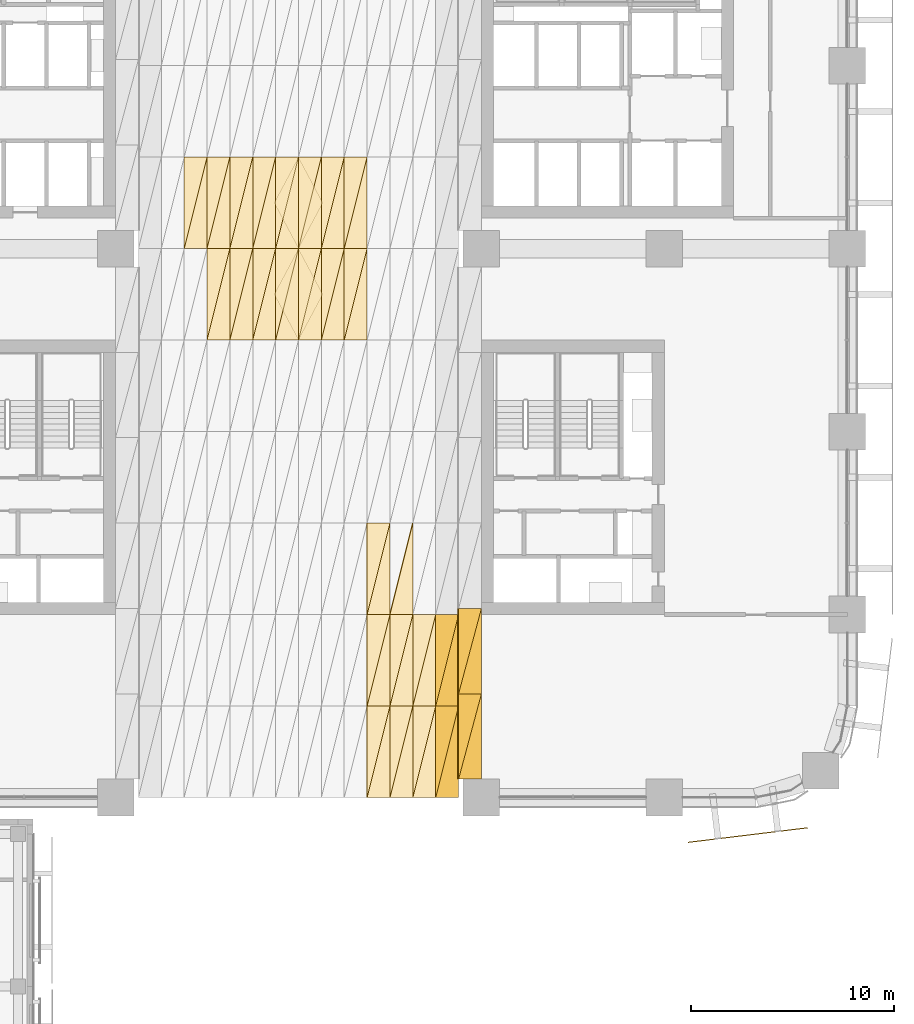
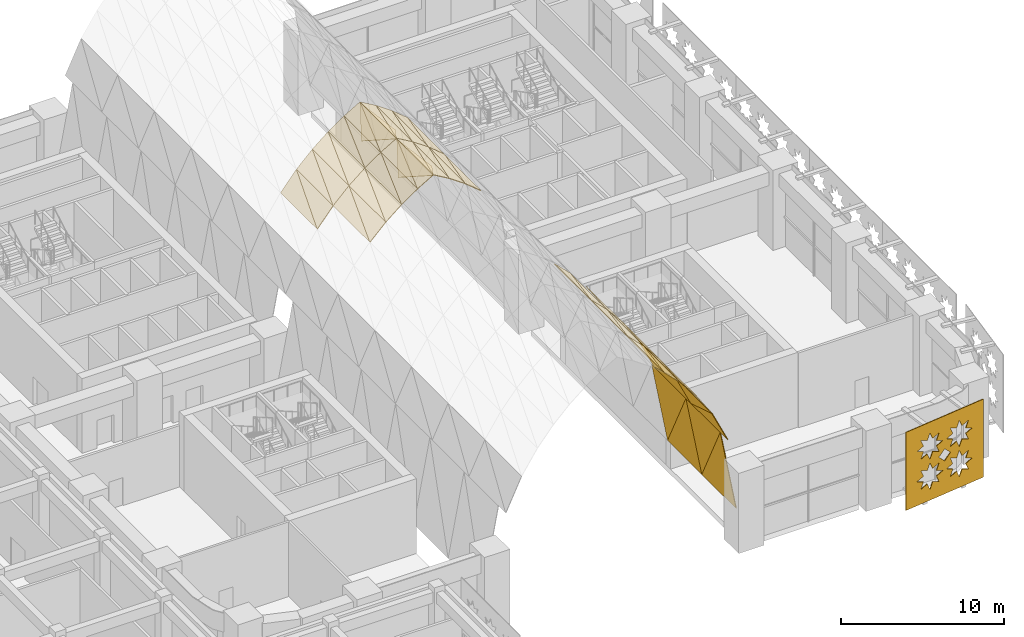
# One storey, part 36 of 46: 58 coverings.
"""IFC4 building model written with IfcOpenShell, lengths in metres."""

from ifc_helpers import new_model, si_unit, direction, frame, origin, place, context, subcontext, project, spatial, polyline, outline, extrude, material, layer, layer_set, type_object, element, save


model = new_model("IFC4")

# Units and contexts
model_context = context("Model", 3, precision=1e-05, world=origin(), true_north=direction((0.0, 1.0)))
body_context = subcontext(model_context, "Body", "Model", "MODEL_VIEW")
ifc_project = project(units=[si_unit("LENGTHUNIT", "METRE"), si_unit("AREAUNIT", "SQUARE_METRE"), si_unit("VOLUMEUNIT", "CUBIC_METRE"), si_unit("PLANEANGLEUNIT", "RADIAN"), si_unit("MASSUNIT", "GRAM", prefix="KILO")], contexts=[model_context])

# Site, building, storey
site_placement = place(None, origin())
site = spatial("IfcSite", under=ifc_project, at=site_placement, CompositionType="ELEMENT")
building_placement = place(site_placement, origin())
building = spatial("IfcBuilding", under=site, at=building_placement, Name="Tessera Arch", CompositionType="ELEMENT")
storey_placement = place(building_placement, frame((0.0, 0.0, 8.0)))
storey = spatial("IfcBuildingStorey", under=building, at=storey_placement, Name="L01", CompositionType="ELEMENT", Elevation=8.0)

# Coverings
ifc_material_1 = material(Name="Aluminium cladding pale metal anodised", Category="aluminium")
ifc_layer_1 = layer(ifc_material_1, 0.050048828125)
ifc_layer_set_1 = layer_set([ifc_layer_1], Name="Arch soffit panel")
covering_type_1 = type_object("IfcCoveringType", Name="Arch soffit panel", PredefinedType="CLADDING", material=ifc_layer_set_1)
covering_1_placement = place(storey_placement, frame((21.375, 27.0, 12.16650390625), z_axis=(-0.769435590456, 0.0, 0.638724410164), x_axis=(0.638724410164, 0.0, 0.769435590456)))
element("IfcCovering", 1, at=covering_1_placement, inside=storey, type_object=covering_type_1, Name="Arch soffit panel 4-7-1", PredefinedType="CLADDING", context=body_context, shape_type="SweptSolid", body=[
    extrude(outline(polyline([(0.0, 0.0), (1.7613230089496987, 0.0), (1.7613230089496987, 4.5), (0.0, 0.0)])), origin(), (0.0, 0.0, -1.0), 0.050048828125),
])
covering_2_placement = place(storey_placement, frame((21.375, 27.0, 12.16650390625), z_axis=(-0.769435590456, 0.0, 0.638724410164), x_axis=(0.232802733554, 0.931210934214, 0.280444438793)))
element("IfcCovering", 2, at=covering_2_placement, inside=storey, type_object=covering_type_1, Name="Arch soffit panel 4-7-2", PredefinedType="CLADDING", context=body_context, shape_type="SweptSolid", body=[
    extrude(outline(polyline([(0.0, 0.0), (4.832417484226257, 2.220446049250313e-16), (4.190449203964491, 1.640163244617246), (0.0, 0.0)])), origin(), (0.0, 0.0, -1.0), 0.050048828125),
])
covering_3_placement = place(storey_placement, frame((22.5, 22.5, 13.521728515625), z_axis=(-0.70300502251, 0.0, 0.711184883364), x_axis=(0.711184883364, 0.0, 0.70300502251)))
element("IfcCovering", 3, at=covering_3_placement, inside=storey, type_object=covering_type_1, Name="Arch soffit panel 5-6-1", PredefinedType="CLADDING", context=body_context, shape_type="SweptSolid", body=[
    extrude(outline(polyline([(0.0, 0.0), (1.5818671435730385, 0.0), (1.5818671435730385, 4.5), (0.0, 0.0)])), origin(), (0.0, 0.0, -1.0), 0.050048828125),
])
covering_4_placement = place(storey_placement, frame((22.5, 22.5, 13.521728515625), z_axis=(-0.70300502251, 0.0, 0.711184883364), x_axis=(0.235852147397, 0.943408589587, 0.233139438236)))
element("IfcCovering", 4, at=covering_4_placement, inside=storey, type_object=covering_type_1, Name="Arch soffit panel 5-6-2", PredefinedType="CLADDING", context=body_context, shape_type="SweptSolid", body=[
    extrude(outline(polyline([(0.0, 0.0), (4.769937490147635, 0.0), (4.245338653143071, 1.4923470508328087), (0.0, 0.0)])), origin(), (0.0, 0.0, -1.0), 0.050048828125),
])
covering_5_placement = place(storey_placement, frame((22.5, 27.0, 13.521728515625), z_axis=(-0.70300502251, 0.0, 0.711184883364), x_axis=(0.711184883364, 0.0, 0.70300502251)))
element("IfcCovering", 5, at=covering_5_placement, inside=storey, type_object=covering_type_1, Name="Arch soffit panel 5-7-1", PredefinedType="CLADDING", context=body_context, shape_type="SweptSolid", body=[
    extrude(outline(polyline([(0.0, 0.0), (1.5818671435730385, 0.0), (1.5818671435730385, 4.5), (0.0, 0.0)])), origin(), (0.0, 0.0, -1.0), 0.050048828125),
])
covering_6_placement = place(storey_placement, frame((22.5, 27.0, 13.521728515625), z_axis=(-0.70300502251, 0.0, 0.711184883364), x_axis=(0.235852147397, 0.943408589587, 0.233139438236)))
element("IfcCovering", 6, at=covering_6_placement, inside=storey, type_object=covering_type_1, Name="Arch soffit panel 5-7-2", PredefinedType="CLADDING", context=body_context, shape_type="SweptSolid", body=[
    extrude(outline(polyline([(0.0, 0.0), (4.769937490147635, 0.0), (4.245338653143071, 1.4923470508328087), (0.0, 0.0)])), origin(), (0.0, 0.0, -1.0), 0.050048828125),
])
covering_7_placement = place(storey_placement, frame((23.625, 22.5, 14.6337890625), z_axis=(-0.636621915226, 0.0, 0.771176073964), x_axis=(0.771176073964, 0.0, 0.636621915226)))
element("IfcCovering", 7, at=covering_7_placement, inside=storey, type_object=covering_type_1, Name="Arch soffit panel 6-6-1", PredefinedType="CLADDING", context=body_context, shape_type="SweptSolid", body=[
    extrude(outline(polyline([(0.0, 0.0), (1.4588108189316835, 0.0), (1.4588108189316835, 4.5), (0.0, 0.0)])), origin(), (0.0, 0.0, -1.0), 0.050048828125),
])
covering_8_placement = place(storey_placement, frame((23.625, 22.5, 14.6337890625), z_axis=(-0.636621915226, 0.0, 0.771176073964), x_axis=(0.237815762211, 0.951263048844, 0.1963218662)))
element("IfcCovering", 8, at=covering_8_placement, inside=storey, type_object=covering_type_1, Name="Arch soffit panel 6-6-2", PredefinedType="CLADDING", context=body_context, shape_type="SweptSolid", body=[
    extrude(outline(polyline([(0.0, 0.0), (4.730552716695177, 1.1102230246251565e-16), (4.280683719797313, 1.3877128273033432), (0.0, 0.0)])), origin(), (0.0, 0.0, -1.0), 0.050048828125),
])
covering_9_placement = place(storey_placement, frame((23.625, 27.0, 14.6337890625), z_axis=(-0.636621915226, 0.0, 0.771176073964), x_axis=(0.771176073964, 0.0, 0.636621915226)))
element("IfcCovering", 9, at=covering_9_placement, inside=storey, type_object=covering_type_1, Name="Arch soffit panel 6-7-1", PredefinedType="CLADDING", context=body_context, shape_type="SweptSolid", body=[
    extrude(outline(polyline([(0.0, 0.0), (1.4588108189316835, 0.0), (1.4588108189316835, 4.5), (0.0, 0.0)])), origin(), (0.0, 0.0, -1.0), 0.050048828125),
])
covering_10_placement = place(storey_placement, frame((23.625, 27.0, 14.6337890625), z_axis=(-0.636621915226, 0.0, 0.771176073964), x_axis=(0.237815762211, 0.951263048844, 0.1963218662)))
element("IfcCovering", 10, at=covering_10_placement, inside=storey, type_object=covering_type_1, Name="Arch soffit panel 6-7-2", PredefinedType="CLADDING", context=body_context, shape_type="SweptSolid", body=[
    extrude(outline(polyline([(0.0, 0.0), (4.730552716695177, 1.1102230246251565e-16), (4.280683719797313, 1.3877128273033432), (0.0, 0.0)])), origin(), (0.0, 0.0, -1.0), 0.050048828125),
])
covering_11_placement = place(storey_placement, frame((24.75, 22.5, 15.5625), z_axis=(-0.570275535921, 0.0, 0.821453475938), x_axis=(0.821453475938, 0.0, 0.570275535921)))
element("IfcCovering", 11, at=covering_11_placement, inside=storey, type_object=covering_type_1, Name="Arch soffit panel 7-6-1", PredefinedType="CLADDING", context=body_context, shape_type="SweptSolid", body=[
    extrude(outline(polyline([(0.0, 0.0), (1.3695236954423544, 0.0), (1.3695236954423544, 4.5), (0.0, 0.0)])), origin(), (0.0, 0.0, -1.0), 0.050048828125),
])
covering_12_placement = place(storey_placement, frame((24.75, 22.5, 15.5625), z_axis=(-0.570275535921, 0.0, 0.821453475938), x_axis=(0.239169084806, 0.956676339224, 0.166037739213)))
element("IfcCovering", 12, at=covering_12_placement, inside=storey, type_object=covering_type_1, Name="Arch soffit panel 7-6-2", PredefinedType="CLADDING", context=body_context, shape_type="SweptSolid", body=[
    extrude(outline(polyline([(0.0, 0.0), (4.703785194115276, 1.6653345369377348e-16), (4.305043526505844, 1.3101909154356595), (0.0, 0.0)])), origin(), (0.0, 0.0, -1.0), 0.050048828125),
])
covering_13_placement = place(storey_placement, frame((24.75, 27.0, 15.5625), z_axis=(-0.570275535921, 0.0, 0.821453475938), x_axis=(0.821453475938, 0.0, 0.570275535921)))
element("IfcCovering", 13, at=covering_13_placement, inside=storey, type_object=covering_type_1, Name="Arch soffit panel 7-7-1", PredefinedType="CLADDING", context=body_context, shape_type="SweptSolid", body=[
    extrude(outline(polyline([(0.0, 0.0), (1.3695236954423544, 0.0), (1.3695236954423544, 4.5), (0.0, 0.0)])), origin(), (0.0, 0.0, -1.0), 0.050048828125),
])
covering_14_placement = place(storey_placement, frame((24.75, 27.0, 15.5625), z_axis=(-0.570275535921, 0.0, 0.821453475938), x_axis=(0.239169084806, 0.956676339224, 0.166037739213)))
element("IfcCovering", 14, at=covering_14_placement, inside=storey, type_object=covering_type_1, Name="Arch soffit panel 7-7-2", PredefinedType="CLADDING", context=body_context, shape_type="SweptSolid", body=[
    extrude(outline(polyline([(0.0, 0.0), (4.703785194115276, 1.6653345369377348e-16), (4.305043526505844, 1.3101909154356595), (0.0, 0.0)])), origin(), (0.0, 0.0, -1.0), 0.050048828125),
])
covering_15_placement = place(storey_placement, frame((25.875, 22.5, 16.343505859375), z_axis=(-0.504010866283, 0.0, 0.863697311949), x_axis=(0.863697311949, 0.0, 0.504010866283)))
element("IfcCovering", 15, at=covering_15_placement, inside=storey, type_object=covering_type_1, Name="Arch soffit panel 8-6-1", PredefinedType="CLADDING", context=body_context, shape_type="SweptSolid", body=[
    extrude(outline(polyline([(0.0, 0.0), (1.3025396564692215, 0.0), (1.3025396564692215, 4.5), (0.0, 0.0)])), origin(), (0.0, 0.0, -1.0), 0.050048828125),
])
covering_16_placement = place(storey_placement, frame((25.875, 22.5, 16.343505859375), z_axis=(-0.504010866283, 0.0, 0.863697311949), x_axis=(0.240142376268, 0.960569505072, 0.140135167054)))
element("IfcCovering", 16, at=covering_16_placement, inside=storey, type_object=covering_type_1, Name="Arch soffit panel 8-6-2", PredefinedType="CLADDING", context=body_context, shape_type="SweptSolid", body=[
    extrude(outline(polyline([(0.0, 0.0), (4.684720862193921, 1.6653345369377348e-16), (4.322562772825837, 1.2511798731518247), (0.0, 0.0)])), origin(), (0.0, 0.0, -1.0), 0.050048828125),
])
covering_17_placement = place(storey_placement, frame((25.875, 27.0, 16.343505859375), z_axis=(-0.504010866283, 0.0, 0.863697311949), x_axis=(0.863697311949, 0.0, 0.504010866283)))
element("IfcCovering", 17, at=covering_17_placement, inside=storey, type_object=covering_type_1, Name="Arch soffit panel 8-7-1", PredefinedType="CLADDING", context=body_context, shape_type="SweptSolid", body=[
    extrude(outline(polyline([(0.0, 0.0), (1.3025396564692215, 0.0), (1.3025396564692215, 4.5), (0.0, 0.0)])), origin(), (0.0, 0.0, -1.0), 0.050048828125),
])
covering_18_placement = place(storey_placement, frame((25.875, 27.0, 16.343505859375), z_axis=(-0.504010866283, 0.0, 0.863697311949), x_axis=(0.240142376268, 0.960569505072, 0.140135167054)))
element("IfcCovering", 18, at=covering_18_placement, inside=storey, type_object=covering_type_1, Name="Arch soffit panel 8-7-2", PredefinedType="CLADDING", context=body_context, shape_type="SweptSolid", body=[
    extrude(outline(polyline([(0.0, 0.0), (4.684720862193921, 1.6653345369377348e-16), (4.322562772825837, 1.2511798731518247), (0.0, 0.0)])), origin(), (0.0, 0.0, -1.0), 0.050048828125),
])
covering_19_placement = place(storey_placement, frame((27.0, 22.5, 17.0), z_axis=(0.504010866283, 0.0, 0.863697311949), x_axis=(0.863697311949, 0.0, -0.504010866283)))
element("IfcCovering", 19, at=covering_19_placement, inside=storey, type_object=covering_type_1, Name="Arch soffit panel 9-6-1", PredefinedType="CLADDING", context=body_context, shape_type="SweptSolid", body=[
    extrude(outline(polyline([(0.0, 0.0), (1.3025396564692215, 0.0), (1.3025396564692215, 4.5), (0.0, 0.0)])), origin(), (0.0, 0.0, -1.0), 0.050048828125),
])
covering_20_placement = place(storey_placement, frame((27.0, 22.5, 17.0), z_axis=(0.504010866283, 0.0, 0.863697311949), x_axis=(0.240142376268, 0.960569505072, -0.140135167054)))
element("IfcCovering", 20, at=covering_20_placement, inside=storey, type_object=covering_type_1, Name="Arch soffit panel 9-6-2", PredefinedType="CLADDING", context=body_context, shape_type="SweptSolid", body=[
    extrude(outline(polyline([(0.0, 0.0), (4.684720862193921, 1.6653345369377348e-16), (4.322562772825837, 1.2511798731518247), (0.0, 0.0)])), origin(), (0.0, 0.0, -1.0), 0.050048828125),
])
covering_21_placement = place(storey_placement, frame((27.0, 27.0, 17.0), z_axis=(0.504010866283, 0.0, 0.863697311949), x_axis=(0.863697311949, 0.0, -0.504010866283)))
element("IfcCovering", 21, at=covering_21_placement, inside=storey, type_object=covering_type_1, Name="Arch soffit panel 9-7-1", PredefinedType="CLADDING", context=body_context, shape_type="SweptSolid", body=[
    extrude(outline(polyline([(0.0, 0.0), (1.3025396564692215, 0.0), (1.3025396564692215, 4.5), (0.0, 0.0)])), origin(), (0.0, 0.0, -1.0), 0.050048828125),
])
covering_22_placement = place(storey_placement, frame((27.0, 27.0, 17.0), z_axis=(0.504010866283, 0.0, 0.863697311949), x_axis=(0.240142376268, 0.960569505072, -0.140135167054)))
element("IfcCovering", 22, at=covering_22_placement, inside=storey, type_object=covering_type_1, Name="Arch soffit panel 9-7-2", PredefinedType="CLADDING", context=body_context, shape_type="SweptSolid", body=[
    extrude(outline(polyline([(0.0, 0.0), (4.684720862193921, 1.6653345369377348e-16), (4.322562772825837, 1.2511798731518247), (0.0, 0.0)])), origin(), (0.0, 0.0, -1.0), 0.050048828125),
])
covering_23_placement = place(storey_placement, frame((28.125, 22.5, 16.343505859375), z_axis=(0.570275535921, 0.0, 0.821453475938), x_axis=(0.821453475938, 0.0, -0.570275535921)))
element("IfcCovering", 23, at=covering_23_placement, inside=storey, type_object=covering_type_1, Name="Arch soffit panel 10-6-1", PredefinedType="CLADDING", context=body_context, shape_type="SweptSolid", body=[
    extrude(outline(polyline([(0.0, 0.0), (1.3695236954423544, 0.0), (1.3695236954423544, 4.5), (0.0, 0.0)])), origin(), (0.0, 0.0, -1.0), 0.050048828125),
])
covering_24_placement = place(storey_placement, frame((28.125, 22.5, 16.343505859375), z_axis=(0.570275535921, 0.0, 0.821453475938), x_axis=(0.239169084806, 0.956676339224, -0.166037739213)))
element("IfcCovering", 24, at=covering_24_placement, inside=storey, type_object=covering_type_1, Name="Arch soffit panel 10-6-2", PredefinedType="CLADDING", context=body_context, shape_type="SweptSolid", body=[
    extrude(outline(polyline([(0.0, 0.0), (4.703785194115276, 1.6653345369377348e-16), (4.305043526505844, 1.3101909154356595), (0.0, 0.0)])), origin(), (0.0, 0.0, -1.0), 0.050048828125),
])
covering_25_placement = place(storey_placement, frame((28.125, 27.0, 16.343505859375), z_axis=(0.570275535921, 0.0, 0.821453475938), x_axis=(0.821453475938, 0.0, -0.570275535921)))
element("IfcCovering", 25, at=covering_25_placement, inside=storey, type_object=covering_type_1, Name="Arch soffit panel 10-7-1", PredefinedType="CLADDING", context=body_context, shape_type="SweptSolid", body=[
    extrude(outline(polyline([(0.0, 0.0), (1.3695236954423544, 0.0), (1.3695236954423544, 4.5), (0.0, 0.0)])), origin(), (0.0, 0.0, -1.0), 0.050048828125),
])
covering_26_placement = place(storey_placement, frame((28.125, 27.0, 16.343505859375), z_axis=(0.570275535921, 0.0, 0.821453475938), x_axis=(0.239169084806, 0.956676339224, -0.166037739213)))
element("IfcCovering", 26, at=covering_26_placement, inside=storey, type_object=covering_type_1, Name="Arch soffit panel 10-7-2", PredefinedType="CLADDING", context=body_context, shape_type="SweptSolid", body=[
    extrude(outline(polyline([(0.0, 0.0), (4.703785194115276, 1.6653345369377348e-16), (4.305043526505844, 1.3101909154356595), (0.0, 0.0)])), origin(), (0.0, 0.0, -1.0), 0.050048828125),
])
covering_27_placement = place(storey_placement, frame((29.25, 22.5, 15.5625), z_axis=(0.636621915226, 0.0, 0.771176073964), x_axis=(0.771176073964, 0.0, -0.636621915226)))
element("IfcCovering", 27, at=covering_27_placement, inside=storey, type_object=covering_type_1, Name="Arch soffit panel 11-6-1", PredefinedType="CLADDING", context=body_context, shape_type="SweptSolid", body=[
    extrude(outline(polyline([(0.0, 0.0), (1.4588108189316835, 0.0), (1.4588108189316835, 4.5), (0.0, 0.0)])), origin(), (0.0, 0.0, -1.0), 0.050048828125),
])
covering_28_placement = place(storey_placement, frame((29.25, 22.5, 15.5625), z_axis=(0.636621915226, 0.0, 0.771176073964), x_axis=(0.237815762211, 0.951263048844, -0.1963218662)))
element("IfcCovering", 28, at=covering_28_placement, inside=storey, type_object=covering_type_1, Name="Arch soffit panel 11-6-2", PredefinedType="CLADDING", context=body_context, shape_type="SweptSolid", body=[
    extrude(outline(polyline([(0.0, 0.0), (4.730552716695177, 1.1102230246251565e-16), (4.280683719797313, 1.3877128273033432), (0.0, 0.0)])), origin(), (0.0, 0.0, -1.0), 0.050048828125),
])
covering_29_placement = place(storey_placement, frame((29.25, 27.0, 15.5625), z_axis=(0.636621915226, 0.0, 0.771176073964), x_axis=(0.771176073964, 0.0, -0.636621915226)))
element("IfcCovering", 29, at=covering_29_placement, inside=storey, type_object=covering_type_1, Name="Arch soffit panel 11-7-1", PredefinedType="CLADDING", context=body_context, shape_type="SweptSolid", body=[
    extrude(outline(polyline([(0.0, 0.0), (1.4588108189316835, 0.0), (1.4588108189316835, 4.5), (0.0, 0.0)])), origin(), (0.0, 0.0, -1.0), 0.050048828125),
])
covering_30_placement = place(storey_placement, frame((29.25, 27.0, 15.5625), z_axis=(0.636621915226, 0.0, 0.771176073964), x_axis=(0.237815762211, 0.951263048844, -0.1963218662)))
element("IfcCovering", 30, at=covering_30_placement, inside=storey, type_object=covering_type_1, Name="Arch soffit panel 11-7-2", PredefinedType="CLADDING", context=body_context, shape_type="SweptSolid", body=[
    extrude(outline(polyline([(0.0, 0.0), (4.730552716695177, 1.1102230246251565e-16), (4.280683719797313, 1.3877128273033432), (0.0, 0.0)])), origin(), (0.0, 0.0, -1.0), 0.050048828125),
])
covering_31_placement = place(storey_placement, frame((30.375, 0.0, 14.6337890625), z_axis=(0.70300502251, 0.0, 0.711184883364), x_axis=(0.711184883364, 0.0, -0.70300502251)))
element("IfcCovering", 31, at=covering_31_placement, inside=storey, type_object=covering_type_1, Name="Arch soffit panel 12-1-1", PredefinedType="CLADDING", context=body_context, shape_type="SweptSolid", body=[
    extrude(outline(polyline([(0.0, 0.0), (1.5818671435730385, 0.0), (1.5818671435730385, 4.5), (0.0, 0.0)])), origin(), (0.0, 0.0, -1.0), 0.050048828125),
])
covering_32_placement = place(storey_placement, frame((30.375, 0.0, 14.6337890625), z_axis=(0.70300502251, 0.0, 0.711184883364), x_axis=(0.235852147397, 0.943408589587, -0.233139438236)))
element("IfcCovering", 32, at=covering_32_placement, inside=storey, type_object=covering_type_1, Name="Arch soffit panel 12-1-2", PredefinedType="CLADDING", context=body_context, shape_type="SweptSolid", body=[
    extrude(outline(polyline([(0.0, 0.0), (4.769937490147635, 0.0), (4.245338653143071, 1.4923470508328087), (0.0, 0.0)])), origin(), (0.0, 0.0, -1.0), 0.050048828125),
])
covering_33_placement = place(storey_placement, frame((30.375, 4.5, 14.6337890625), z_axis=(0.70300502251, 0.0, 0.711184883364), x_axis=(0.711184883364, 0.0, -0.70300502251)))
element("IfcCovering", 33, at=covering_33_placement, inside=storey, type_object=covering_type_1, Name="Arch soffit panel 12-2-1", PredefinedType="CLADDING", context=body_context, shape_type="SweptSolid", body=[
    extrude(outline(polyline([(0.0, 0.0), (1.5818671435730385, 0.0), (1.5818671435730385, 4.5), (0.0, 0.0)])), origin(), (0.0, 0.0, -1.0), 0.050048828125),
])
covering_34_placement = place(storey_placement, frame((30.375, 4.5, 14.6337890625), z_axis=(0.70300502251, 0.0, 0.711184883364), x_axis=(0.235852147397, 0.943408589587, -0.233139438236)))
element("IfcCovering", 34, at=covering_34_placement, inside=storey, type_object=covering_type_1, Name="Arch soffit panel 12-2-2", PredefinedType="CLADDING", context=body_context, shape_type="SweptSolid", body=[
    extrude(outline(polyline([(0.0, 0.0), (4.769937490147635, 0.0), (4.245338653143071, 1.4923470508328087), (0.0, 0.0)])), origin(), (0.0, 0.0, -1.0), 0.050048828125),
])
covering_35_placement = place(storey_placement, frame((30.375, 9.0, 14.6337890625), z_axis=(0.70300502251, 0.0, 0.711184883364), x_axis=(0.711184883364, 0.0, -0.70300502251)))
element("IfcCovering", 35, at=covering_35_placement, inside=storey, type_object=covering_type_1, Name="Arch soffit panel 12-3-1", PredefinedType="CLADDING", context=body_context, shape_type="SweptSolid", body=[
    extrude(outline(polyline([(0.0, 0.0), (1.5818671435730385, 0.0), (1.5818671435730385, 4.5), (0.0, 0.0)])), origin(), (0.0, 0.0, -1.0), 0.050048828125),
])
covering_36_placement = place(storey_placement, frame((30.375, 9.0, 14.6337890625), z_axis=(0.70300502251, 0.0, 0.711184883364), x_axis=(0.235852147397, 0.943408589587, -0.233139438236)))
element("IfcCovering", 36, at=covering_36_placement, inside=storey, type_object=covering_type_1, Name="Arch soffit panel 12-3-2", PredefinedType="CLADDING", context=body_context, shape_type="SweptSolid", body=[
    extrude(outline(polyline([(0.0, 0.0), (4.769937490147635, 0.0), (4.245338653143071, 1.4923470508328087), (0.0, 0.0)])), origin(), (0.0, 0.0, -1.0), 0.050048828125),
])
covering_37_placement = place(storey_placement, frame((31.5, 0.0, 13.521728515625), z_axis=(0.769435590456, 0.0, 0.638724410164), x_axis=(0.638724410164, 0.0, -0.769435590456)))
element("IfcCovering", 37, at=covering_37_placement, inside=storey, type_object=covering_type_1, Name="Arch soffit panel 13-1-1", PredefinedType="CLADDING", context=body_context, shape_type="SweptSolid", body=[
    extrude(outline(polyline([(0.0, 0.0), (1.7613230089496987, 0.0), (1.7613230089496987, 4.5), (0.0, 0.0)])), origin(), (0.0, 0.0, -1.0), 0.050048828125),
])
covering_38_placement = place(storey_placement, frame((31.5, 0.0, 13.521728515625), z_axis=(0.769435590456, 0.0, 0.638724410164), x_axis=(0.232802733554, 0.931210934214, -0.280444438793)))
element("IfcCovering", 38, at=covering_38_placement, inside=storey, type_object=covering_type_1, Name="Arch soffit panel 13-1-2", PredefinedType="CLADDING", context=body_context, shape_type="SweptSolid", body=[
    extrude(outline(polyline([(0.0, 0.0), (4.832417484226257, 2.220446049250313e-16), (4.190449203964491, 1.640163244617246), (0.0, 0.0)])), origin(), (0.0, 0.0, -1.0), 0.050048828125),
])
covering_39_placement = place(storey_placement, frame((31.5, 4.5, 13.521728515625), z_axis=(0.769435590456, 0.0, 0.638724410164), x_axis=(0.638724410164, 0.0, -0.769435590456)))
element("IfcCovering", 39, at=covering_39_placement, inside=storey, type_object=covering_type_1, Name="Arch soffit panel 13-2-1", PredefinedType="CLADDING", context=body_context, shape_type="SweptSolid", body=[
    extrude(outline(polyline([(0.0, 0.0), (1.7613230089496987, 0.0), (1.7613230089496987, 4.5), (0.0, 0.0)])), origin(), (0.0, 0.0, -1.0), 0.050048828125),
])
covering_40_placement = place(storey_placement, frame((31.5, 4.5, 13.521728515625), z_axis=(0.769435590456, 0.0, 0.638724410164), x_axis=(0.232802733554, 0.931210934214, -0.280444438793)))
element("IfcCovering", 40, at=covering_40_placement, inside=storey, type_object=covering_type_1, Name="Arch soffit panel 13-2-2", PredefinedType="CLADDING", context=body_context, shape_type="SweptSolid", body=[
    extrude(outline(polyline([(0.0, 0.0), (4.832417484226257, 2.220446049250313e-16), (4.190449203964491, 1.640163244617246), (0.0, 0.0)])), origin(), (0.0, 0.0, -1.0), 0.050048828125),
])
covering_41_placement = place(storey_placement, frame((31.5, 9.0, 13.521728515625), z_axis=(0.769435590456, 0.0, 0.638724410164), x_axis=(0.638724410164, 0.0, -0.769435590456)))
element("IfcCovering", 41, at=covering_41_placement, inside=storey, type_object=covering_type_1, Name="Arch soffit panel 13-3-1", PredefinedType="CLADDING", context=body_context, shape_type="SweptSolid", body=[
    extrude(outline(polyline([(0.0, 0.0), (1.7613230089496987, 0.0), (1.7613230089496987, 4.5), (0.0, 0.0)])), origin(), (0.0, 0.0, -1.0), 0.050048828125),
])
covering_42_placement = place(storey_placement, frame((32.625, 0.0, 12.16650390625), z_axis=(0.836058150895, 0.0, 0.548640837272), x_axis=(0.548640837272, 0.0, -0.836058150895)))
element("IfcCovering", 42, at=covering_42_placement, inside=storey, type_object=covering_type_1, Name="Arch soffit panel 14-1-1", PredefinedType="CLADDING", context=body_context, shape_type="SweptSolid", body=[
    extrude(outline(polyline([(0.0, 0.0), (2.050521805110356, 0.0), (2.050521805110356, 4.500000000000001), (0.0, 0.0)])), origin(), (0.0, 0.0, -1.0), 0.050048828125),
])
covering_43_placement = place(storey_placement, frame((32.625, 0.0, 12.16650390625), z_axis=(0.836058150895, 0.0, 0.548640837272), x_axis=(0.227495016996, 0.909980067983, -0.346673179111)))
element("IfcCovering", 43, at=covering_43_placement, inside=storey, type_object=covering_type_1, Name="Arch soffit panel 14-1-2", PredefinedType="CLADDING", context=body_context, shape_type="SweptSolid", body=[
    extrude(outline(polyline([(0.0, 0.0), (4.945163260523664, 0.0), (4.094910305924995, 1.8659339716156267), (0.0, 0.0)])), origin(), (0.0, 0.0, -1.0), 0.050048828125),
])
covering_44_placement = place(storey_placement, frame((32.625, 4.5, 12.16650390625), z_axis=(0.836058150895, 0.0, 0.548640837272), x_axis=(0.548640837272, 0.0, -0.836058150895)))
element("IfcCovering", 44, at=covering_44_placement, inside=storey, type_object=covering_type_1, Name="Arch soffit panel 14-2-1", PredefinedType="CLADDING", context=body_context, shape_type="SweptSolid", body=[
    extrude(outline(polyline([(0.0, 0.0), (2.050521805110356, 0.0), (2.050521805110356, 4.500000000000001), (0.0, 0.0)])), origin(), (0.0, 0.0, -1.0), 0.050048828125),
])
covering_45_placement = place(storey_placement, frame((32.625, 4.5, 12.16650390625), z_axis=(0.836058150895, 0.0, 0.548640837272), x_axis=(0.227495016996, 0.909980067983, -0.346673179111)))
element("IfcCovering", 45, at=covering_45_placement, inside=storey, type_object=covering_type_1, Name="Arch soffit panel 14-2-2", PredefinedType="CLADDING", context=body_context, shape_type="SweptSolid", body=[
    extrude(outline(polyline([(0.0, 0.0), (4.945163260523664, 0.0), (4.094910305924995, 1.8659339716156267), (0.0, 0.0)])), origin(), (0.0, 0.0, -1.0), 0.050048828125),
])
covering_46_placement = place(storey_placement, frame((33.75, 0.0, 10.4521484375), z_axis=(0.903430696756, 0.0, 0.428734155577), x_axis=(0.428734155577, 0.0, -0.903430696756)))
element("IfcCovering", 46, at=covering_46_placement, inside=storey, type_object=covering_type_1, Name="Arch soffit panel 15-1-1", PredefinedType="CLADDING", context=body_context, shape_type="SweptSolid", body=[
    extrude(outline(polyline([(0.0, 0.0), (2.624003675391368, 0.0), (2.624003675391368, 4.500000000000001), (0.0, 0.0)])), origin(), (0.0, 0.0, -1.0), 0.050048828125),
])
covering_47_placement = place(storey_placement, frame((33.75, 0.0, 10.4521484375), z_axis=(0.903430696756, 0.0, 0.428734155577), x_axis=(0.215965533365, 0.863862133459, -0.455083621739)))
element("IfcCovering", 47, at=covering_47_placement, inside=storey, type_object=covering_type_1, Name="Arch soffit panel 15-1-2", PredefinedType="CLADDING", context=body_context, shape_type="SweptSolid", body=[
    extrude(outline(polyline([(0.0, 0.0), (5.209164548031422, 0.0), (3.887379600564281, 2.2667774132271337), (0.0, 0.0)])), origin(), (0.0, 0.0, -1.0), 0.050048828125),
])
covering_48_placement = place(storey_placement, frame((33.75, 4.5, 10.4521484375), z_axis=(0.903430696756, 0.0, 0.428734155577), x_axis=(0.428734155577, 0.0, -0.903430696756)))
element("IfcCovering", 48, at=covering_48_placement, inside=storey, type_object=covering_type_1, Name="Arch soffit panel 15-2-1", PredefinedType="CLADDING", context=body_context, shape_type="SweptSolid", body=[
    extrude(outline(polyline([(0.0, 0.0), (2.624003675391368, 0.0), (2.624003675391368, 4.500000000000001), (0.0, 0.0)])), origin(), (0.0, 0.0, -1.0), 0.050048828125),
])
covering_49_placement = place(storey_placement, frame((33.75, 4.5, 10.4521484375), z_axis=(0.903430696756, 0.0, 0.428734155577), x_axis=(0.215965533365, 0.863862133459, -0.455083621739)))
element("IfcCovering", 49, at=covering_49_placement, inside=storey, type_object=covering_type_1, Name="Arch soffit panel 15-2-2", PredefinedType="CLADDING", context=body_context, shape_type="SweptSolid", body=[
    extrude(outline(polyline([(0.0, 0.0), (5.209164548031422, 0.0), (3.887379600564281, 2.2667774132271337), (0.0, 0.0)])), origin(), (0.0, 0.0, -1.0), 0.050048828125),
])
covering_50_placement = place(storey_placement, frame((34.875, 0.89990234375, 8.08154296875), z_axis=(0.98331706381, 0.0, 0.181899840628), x_axis=(0.181899840628, 0.0, -0.98331706381)))
element("IfcCovering", 50, at=covering_50_placement, inside=storey, type_object=covering_type_1, Name="Arch soffit panel 16-1-1", PredefinedType="CLADDING", context=body_context, shape_type="SweptSolid", body=[
    extrude(outline(polyline([(0.0, 0.0), (6.184722296170829, 0.0), (6.184722296170829, 4.200195312500001), (0.0, 0.0)])), origin(), (0.0, 0.0, -1.0), 0.050048828125),
])
covering_51_placement = place(storey_placement, frame((34.875, 0.89990234375, 8.08154296875), z_axis=(0.98331706381, 0.0, 0.181899840628), x_axis=(0.150479044377, 0.561814557175, -0.813462021578)))
element("IfcCovering", 51, at=covering_51_placement, inside=storey, type_object=covering_type_1, Name="Arch soffit panel 16-1-2", PredefinedType="CLADDING", context=body_context, shape_type="SweptSolid", body=[
    extrude(outline(polyline([(0.0, 0.0), (7.47612403213721, 4.440892098500626e-16), (2.3597308695403933, 3.4746670180731147), (0.0, 0.0)])), origin(), (0.0, 0.0, -1.0), 0.050048828125),
])
covering_52_placement = place(storey_placement, frame((34.875, 5.10009765625, 8.08154296875), z_axis=(0.98331706381, 0.0, 0.181899840628), x_axis=(0.181899840628, 0.0, -0.98331706381)))
element("IfcCovering", 52, at=covering_52_placement, inside=storey, type_object=covering_type_1, Name="Arch soffit panel 16-2-1", PredefinedType="CLADDING", context=body_context, shape_type="SweptSolid", body=[
    extrude(outline(polyline([(0.0, 0.0), (6.184722296170829, 0.0), (6.184722296170829, 4.199951171875), (0.0, 0.0)])), origin(), (0.0, 0.0, -1.0), 0.050048828125),
])
covering_53_placement = place(storey_placement, frame((34.875, 5.10009765625, 8.08154296875), z_axis=(0.98331706381, 0.0, 0.181899840628), x_axis=(0.150481805158, 0.561792207927, -0.81347694585)))
element("IfcCovering", 53, at=covering_53_placement, inside=storey, type_object=covering_type_1, Name="Arch soffit panel 16-2-2", PredefinedType="CLADDING", context=body_context, shape_type="SweptSolid", body=[
    extrude(outline(polyline([(0.0, 0.0), (7.475986873108242, 4.440892098500626e-16), (2.3594998420322653, 3.474528794179709), (0.0, 0.0)])), origin(), (0.0, 0.0, -1.0), 0.050048828125),
])
covering_54_placement = place(storey_placement, frame((27.0, 22.5, 16.949951171875), z_axis=(-0.675690668518, 0.0, 0.737185268761), x_axis=(0.0, 1.0, 0.0)))
element("IfcCovering", 54, at=covering_54_placement, inside=storey, type_object=covering_type_1, Name="Arch soffit facet W6", PredefinedType="CLADDING", context=body_context, shape_type="SweptSolid", body=[
    extrude(outline(polyline([(0.0, 0.0), (4.5, 0.0), (2.25, 1.6277470843828468), (0.0, 0.0)])), origin(), (0.0, 0.0, -1.0), 0.050048828125),
])
covering_55_placement = place(storey_placement, frame((27.0, 22.5, 16.949951171875), z_axis=(0.675690668518, 0.0, 0.737185268761), x_axis=(0.0, 1.0, 0.0)))
element("IfcCovering", 55, at=covering_55_placement, inside=storey, type_object=covering_type_1, Name="Arch soffit facet E6", PredefinedType="CLADDING", context=body_context, shape_type="SweptSolid", body=[
    extrude(outline(polyline([(0.0, 0.0), (4.5, 0.0), (2.25, -1.6277470843828468), (0.0, 0.0)])), origin(), (0.0, 0.0, -1.0), 0.050048828125),
])
covering_56_placement = place(storey_placement, frame((27.0, 27.0, 16.949951171875), z_axis=(-0.675690668518, 0.0, 0.737185268761), x_axis=(0.0, 1.0, 0.0)))
element("IfcCovering", 56, at=covering_56_placement, inside=storey, type_object=covering_type_1, Name="Arch soffit facet W7", PredefinedType="CLADDING", context=body_context, shape_type="SweptSolid", body=[
    extrude(outline(polyline([(0.0, 0.0), (4.5, 0.0), (2.25, 1.6277470843828468), (0.0, 0.0)])), origin(), (0.0, 0.0, -1.0), 0.050048828125),
])
covering_57_placement = place(storey_placement, frame((27.0, 27.0, 16.949951171875), z_axis=(0.675690668518, 0.0, 0.737185268761), x_axis=(0.0, 1.0, 0.0)))
element("IfcCovering", 57, at=covering_57_placement, inside=storey, type_object=covering_type_1, Name="Arch soffit facet E7", PredefinedType="CLADDING", context=body_context, shape_type="SweptSolid", body=[
    extrude(outline(polyline([(0.0, 0.0), (4.5, 0.0), (2.25, -1.6277470843828468), (0.0, 0.0)])), origin(), (0.0, 0.0, -1.0), 0.050048828125),
])
ifc_material_2 = material(Name="Anodised aluminium pale metal", Category="aluminium")
ifc_layer_2 = layer(ifc_material_2, 0.050048828125)
ifc_layer_set_2 = layer_set([ifc_layer_2], Name="Base lattice panel pale metal")
covering_type_2 = type_object("IfcCoveringType", Name="Base lattice panel pale metal", PredefinedType="CLADDING", material=ifc_layer_set_2)
covering_58_placement = place(storey_placement, frame((46.166015625, -2.183837890625, 6.0), z_axis=(-0.120966249049, 0.992656620686, 0.0), x_axis=(0.992656620686, 0.120966249049, 0.0)))
element("IfcCovering", 58, at=covering_58_placement, inside=storey, type_object=covering_type_2, Name="Base lattice panel S0.36/1 L01", PredefinedType="CLADDING", context=body_context, shape_type="SweptSolid", body=[
    extrude(outline(polyline([(0.0, 0.0), (5.925593962252626, 0.0), (5.925593962252626, 5.840087890625), (0.0, 5.840087890625), (0.0, 0.0)]), holes=[polyline([(2.828132860395926, 4.044921875), (2.336987823767969, 3.837890625), (2.53815207532478, 3.344970703125), (2.0440693322277617, 3.5458984375), (1.8379695261883193, 3.054931640625), (1.6311131439498763, 3.5458984375), (1.1379997920839962, 3.344970703125), (1.3391640436408068, 3.837890625), (0.84801900701285, 4.044921875), (1.3391640436408068, 4.251953125), (1.1379997920839962, 4.7451171875), (1.6311131439498763, 4.5439453125), (1.8379695261883193, 5.034912109375), (2.0440693322277617, 4.5439453125), (2.53815207532478, 4.7451171875), (2.336987823767969, 4.251953125), (2.828132860395926, 4.044921875)]), polyline([(2.828132860395926, 1.794921875), (2.336987823767969, 1.587890625), (2.53815207532478, 1.094970703125), (2.0440693322277617, 1.2958984375), (1.8379695261883193, 0.804931640625), (1.6311131439498763, 1.2958984375), (1.1379997920839962, 1.094970703125), (1.3391640436408068, 1.587890625), (0.84801900701285, 1.794921875), (1.3391640436408068, 2.001953125), (1.1379997920839962, 2.4951171875), (1.6311131439498763, 2.2939453125), (1.8379695261883193, 2.784912109375), (2.0440693322277617, 2.2939453125), (2.53815207532478, 2.4951171875), (2.336987823767969, 2.001953125), (2.828132860395926, 1.794921875)]), polyline([(5.078059650855345, 4.044921875), (4.5871569620351735, 3.837890625), (4.7880788657841995, 3.344970703125), (4.294208937719319, 3.5458984375), (4.088109131679876, 3.054931640625), (3.8810399344092956, 3.5458984375), (3.3881393975755536, 3.344970703125), (3.5890908341002263, 3.837890625), (3.0979457974722693, 4.044921875), (3.5890908341002263, 4.251953125), (3.3881393975755536, 4.7451171875), (3.8810399344092956, 4.5439453125), (4.088109131679876, 5.034912109375), (4.294208937719319, 4.5439453125), (4.7880788657841995, 4.7451171875), (4.5871569620351735, 4.251953125), (5.078059650855345, 4.044921875)]), polyline([(5.078059650855345, 1.794921875), (4.5871569620351735, 1.587890625), (4.7880788657841995, 1.094970703125), (4.294208937719319, 1.2958984375), (4.088109131679876, 0.804931640625), (3.8810399344092956, 1.2958984375), (3.3881393975755536, 1.094970703125), (3.5890908341002263, 1.587890625), (3.0979457974722693, 1.794921875), (3.5890908341002263, 2.001953125), (3.3881393975755536, 2.4951171875), (3.8810399344092956, 2.2939453125), (4.088109131679876, 2.784912109375), (4.294208937719319, 2.2939453125), (4.7880788657841995, 2.4951171875), (4.5871569620351735, 2.001953125), (5.078059650855345, 1.794921875)]), polyline([(3.4130004522452033, 2.919921875), (2.96316050283799, 2.469970703125), (2.5130782056229926, 2.919921875), (2.96316050283799, 3.3701171875), (3.4130004522452033, 2.919921875)])]), origin(), (0.0, 0.0, -1.0), 0.050048828125),
])

save(model, "model.ifc")
